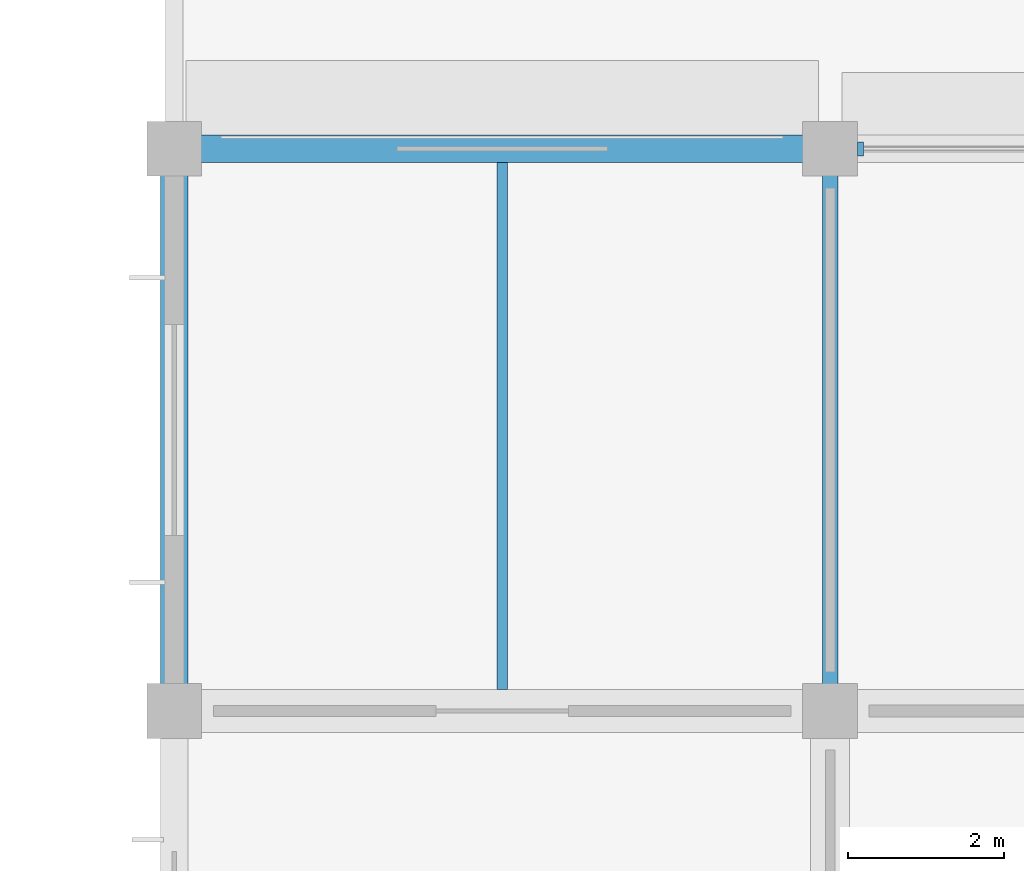
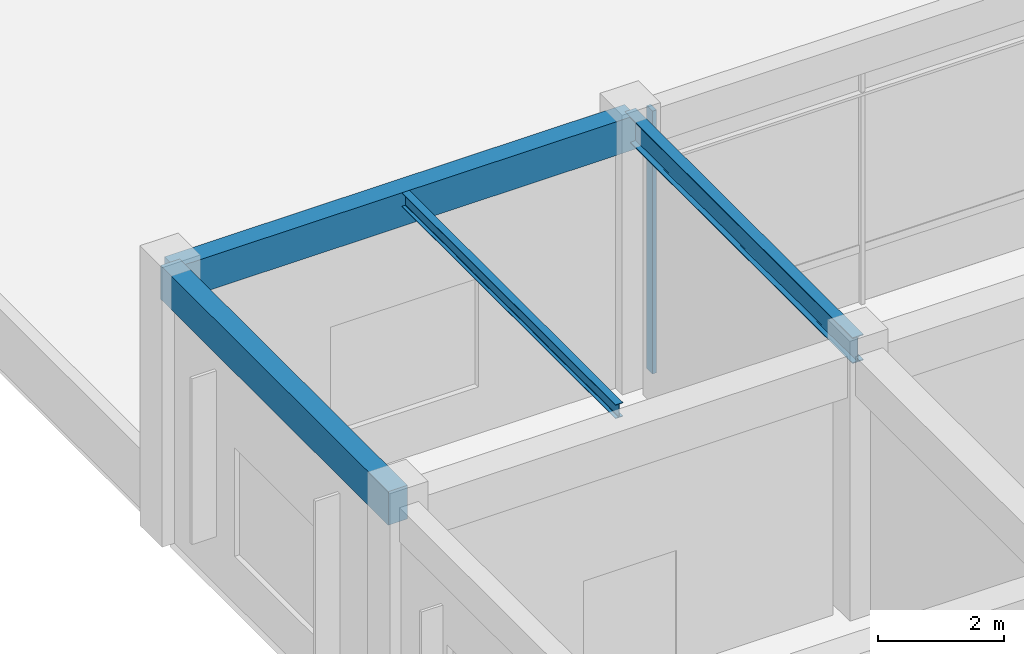
# One storey, part 12 of 41: 4 beams, 1 member, 1 element without a shape of its own.
"""IFC4 building model written with IfcOpenShell, lengths in metres."""

from ifc_helpers import new_model, si_unit, derived_unit, direction, frame, origin, origin_2d, place, context, subcontext, project, spatial, rectangle, i_section, extrude, material, material_profile, profile_set, type_object, element, aggregate, save


model = new_model("IFC4")

# Units and contexts
model_context = context("Model", 3, precision=1e-05, world=origin(), true_north=direction((0.0, 1.0)))
body_context = subcontext(model_context, "Body", "Model", "MODEL_VIEW")
ifc_project = project(units=[si_unit("LENGTHUNIT", "METRE"), si_unit("AREAUNIT", "SQUARE_METRE"), si_unit("VOLUMEUNIT", "CUBIC_METRE"), si_unit("PLANEANGLEUNIT", "RADIAN"), si_unit("MASSUNIT", "GRAM", prefix="KILO"), derived_unit("THERMALTRANSMITTANCEUNIT", [(si_unit("MASSUNIT", "GRAM", prefix="KILO"), 1), (si_unit("TIMEUNIT", "SECOND"), -3), (si_unit("THERMODYNAMICTEMPERATUREUNIT", "KELVIN"), -1)])], contexts=[model_context])

# Site, building, storey
site_placement = place(None, origin())
site = spatial("IfcSite", under=ifc_project, at=site_placement, CompositionType="ELEMENT")
building_placement = place(site_placement, origin())
building = spatial("IfcBuilding", under=site, at=building_placement, Name="Veldstrom Oceanarium and Marine Research Institute", CompositionType="ELEMENT")
storey_placement = place(building_placement, frame((0.0, 0.0, 6.0)))
storey = spatial("IfcBuildingStorey", under=building, at=storey_placement, Name="L01", CompositionType="ELEMENT", Elevation=6.0)

# Curtain wall, member
ifc_material_1 = material(Name="Anodised Aluminium Framing", Category="aluminium")
curtain_wall_type = type_object("IfcCurtainWallType", Name="ARC-CW-CW02", PredefinedType="USERDEFINED", material=ifc_material_1)
curtain_wall_placement = place(storey_placement, origin())
curtain_wall = element("IfcCurtainWall", 1, at=curtain_wall_placement, inside=storey, type_object=curtain_wall_type, Name="Curtain Wall CW02 CW-L01-014", ObjectType="Curtain wall", PredefinedType="USERDEFINED")
ifc_material_2 = material(Name="Anodised Aluminium Framing", Category="aluminium")
ifc_material_profile_1 = material_profile(ifc_material_2, rectangle(XDim=0.074951171875, YDim=0.179931640625, at=origin_2d()), Name="ALU-MUL-75x180")
ifc_profile_set_1 = profile_set([ifc_material_profile_1], Name="Anodised Aluminium Framing")
member_type = type_object("IfcMemberType", Name="ARC-MUL-ML1", PredefinedType="MULLION", material=ifc_profile_set_1)
member_placement = place(storey_placement, frame((126.389892578125, 93.60009765625, 0.0), z_axis=(0.0, 0.0, 1.0), x_axis=(1.0, 0.0, 0.0)))
member = element("IfcMember", 2, at=member_placement, type_object=member_type, Name="Curtain Wall Mullion CW-L01-014-MUL-1", PredefinedType="MULLION", context=body_context, shape_type="SweptSolid", body=[
    extrude(rectangle(XDim=0.074951171875, YDim=0.179931640625, at=origin_2d()), origin(), (0.0, 0.0, 1.0), 5.074951171875),
])
aggregate(curtain_wall, [member])

# Beams
ifc_material_3 = material(Name="Steel S355JR", Category="steel")
ifc_material_profile_2 = material_profile(ifc_material_3, i_section(OverallWidth=0.199951171875, OverallDepth=0.5, WebThickness=0.01025390625, FlangeThickness=0.01611328125, FilletRadius=0.02099609375, at=origin_2d()), Name="IPE 500")
ifc_profile_set_2 = profile_set([ifc_material_profile_2], Name="Steel S355JR")
beam_type_1 = type_object("IfcBeamType", Name="STR-BM-SB6", PredefinedType="BEAM", material=ifc_profile_set_2)
beam_1_placement = place(storey_placement, frame((126.0, 86.39990234375, 4.919921875), z_axis=(0.0, 1.0, 0.0), x_axis=(-1.0, 0.0, 0.0)))
element("IfcBeam", 3, at=beam_1_placement, inside=storey, type_object=beam_type_1, Name="Steel Tie Beam SB6 L01-1396", PredefinedType="BEAM", context=body_context, shape_type="SweptSolid", body=[
    extrude(i_section(OverallWidth=0.199951171875, OverallDepth=0.5, WebThickness=0.01025390625, FlangeThickness=0.01611328125, FilletRadius=0.02099609375, at=origin_2d()), origin(), (0.0, 0.0, 1.0), 7.2001953125),
])
ifc_material_4 = material(Name="Steel S355JR", Category="steel")
ifc_material_profile_3 = material_profile(ifc_material_4, i_section(OverallWidth=0.135009765625, OverallDepth=0.27001953125, WebThickness=0.006591796875, FlangeThickness=0.01025390625, FilletRadius=0.014892578125, at=origin_2d()), Name="IPE 270")
ifc_profile_set_3 = profile_set([ifc_material_profile_3], Name="Steel S355JR")
beam_type_2 = type_object("IfcBeamType", Name="STR-JST-SJ3", PredefinedType="JOIST", material=ifc_profile_set_3)
beam_2_placement = place(storey_placement, frame((121.800048828125, 86.675048828125, 5.034912109375), z_axis=(0.0, 1.0, 0.0), x_axis=(-1.0, 0.0, 0.0)))
element("IfcBeam", 4, at=beam_2_placement, inside=storey, type_object=beam_type_2, Name="Secondary Joist SJ3 L01-1474", PredefinedType="JOIST", context=body_context, shape_type="SweptSolid", body=[
    extrude(i_section(OverallWidth=0.135009765625, OverallDepth=0.27001953125, WebThickness=0.006591796875, FlangeThickness=0.01025390625, FilletRadius=0.014892578125, at=origin_2d()), origin(), (0.0, 0.0, 1.0), 6.75),
])
ifc_material_5 = material(Name="Concrete C40/50", Category="concrete")
ifc_material_profile_4 = material_profile(ifc_material_5, rectangle(XDim=0.35009765625, YDim=0.64990234375, at=origin_2d()), Name="RC-SPN-350x650")
ifc_profile_set_4 = profile_set([ifc_material_profile_4], Name="Concrete C40/50")
beam_type_3 = type_object("IfcBeamType", Name="STR-SPN-SP1", PredefinedType="SPANDREL", material=ifc_profile_set_4)
beam_3_placement = place(storey_placement, frame((117.60009765625, 93.60009765625, 4.844970703125), z_axis=(1.0, 0.0, 0.0), x_axis=(0.0, 1.0, 0.0)))
element("IfcBeam", 5, at=beam_3_placement, inside=storey, type_object=beam_type_3, Name="Perimeter Spandrel SPB1 L01-1244", PredefinedType="SPANDREL", context=body_context, shape_type="SweptSolid", body=[
    extrude(rectangle(XDim=0.35009765625, YDim=0.64990234375, at=origin_2d()), origin(), (0.0, 0.0, 1.0), 8.39990234375),
])
beam_4_placement = place(storey_placement, frame((117.60009765625, 86.39990234375, 4.844970703125), z_axis=(0.0, 1.0, 0.0), x_axis=(-1.0, 0.0, 0.0)))
element("IfcBeam", 6, at=beam_4_placement, inside=storey, type_object=beam_type_3, Name="Perimeter Spandrel SPB1 L01-1389", PredefinedType="SPANDREL", context=body_context, shape_type="SweptSolid", body=[
    extrude(rectangle(XDim=0.35009765625, YDim=0.64990234375, at=origin_2d()), origin(), (0.0, 0.0, 1.0), 7.2001953125),
])

save(model, "model.ifc")
